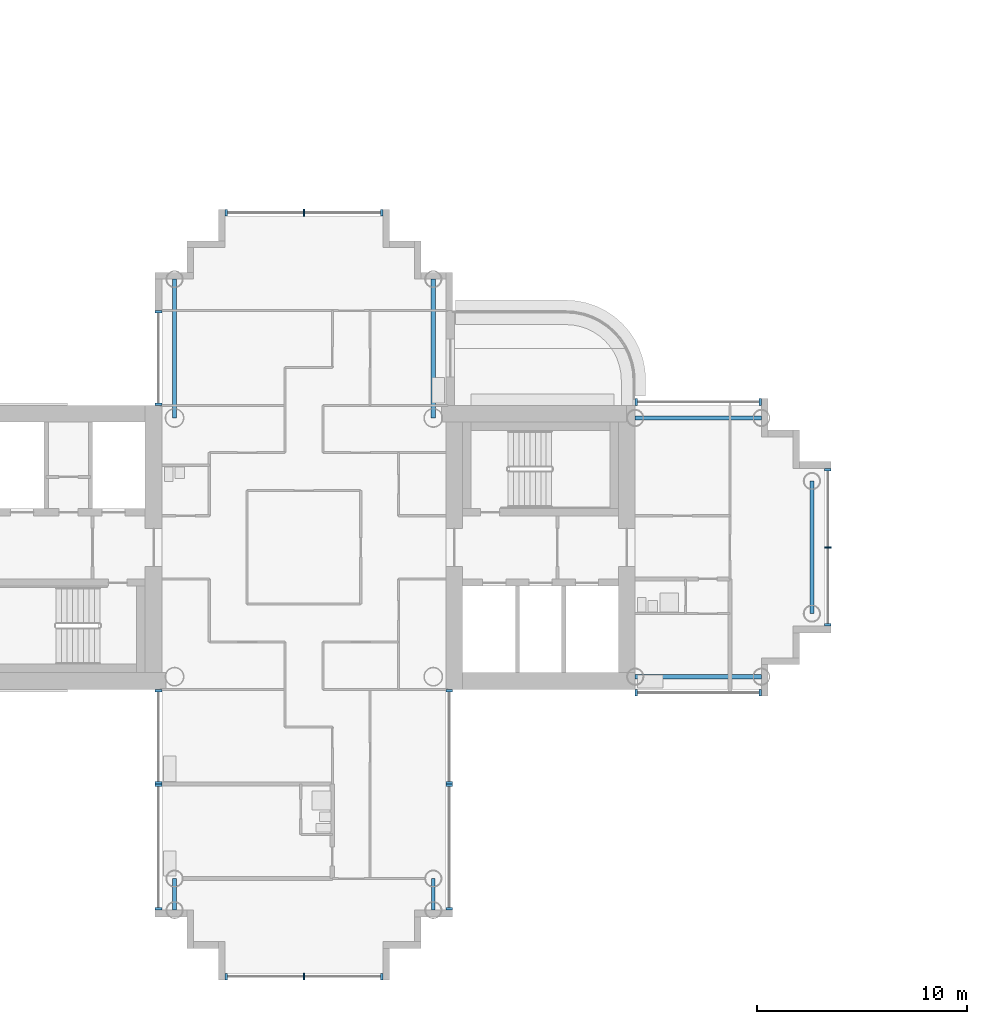
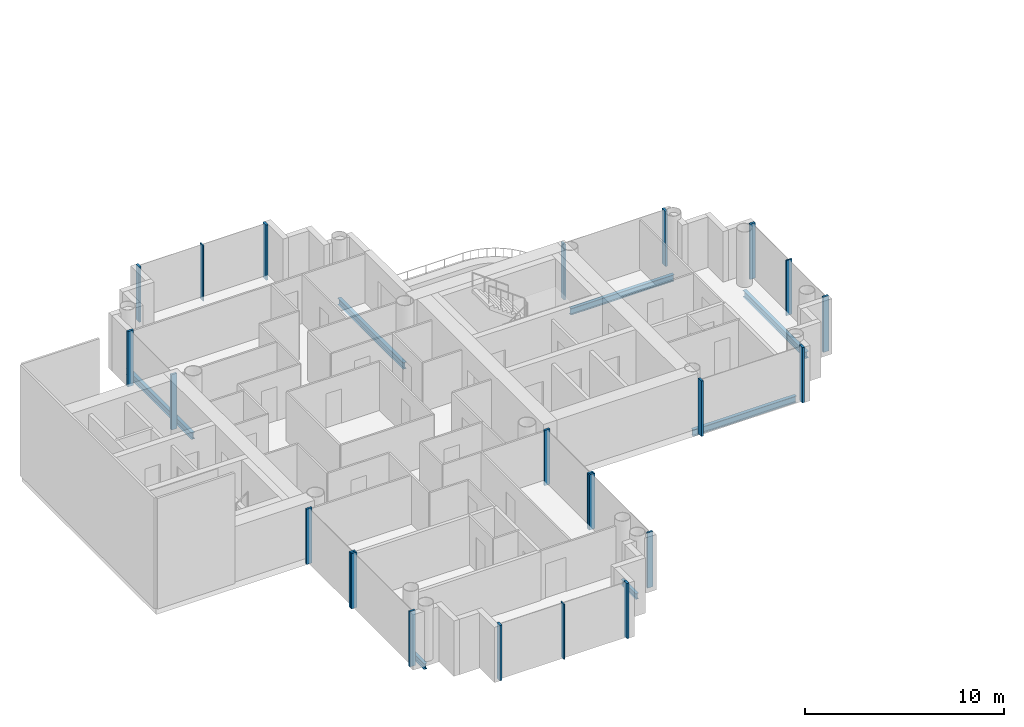
# One storey, part 3 of 19: 23 members, 7 beams, 10 elements without a shape of their own.
"""IFC4 building model written with IfcOpenShell, lengths in metres."""

from ifc_helpers import new_model, si_unit, direction, frame, origin, origin_2d, place, context, subcontext, project, spatial, rectangle, i_section, extrude, material, layer, layer_set, material_profile, profile_set, type_object, element, aggregate, save


model = new_model("IFC4")

# Units and contexts
model_context = context("Model", 3, precision=1e-05, world=origin(), true_north=direction((0.0, 1.0)))
body_context = subcontext(model_context, "Body", "Model", "MODEL_VIEW")
ifc_project = project(units=[si_unit("LENGTHUNIT", "METRE"), si_unit("AREAUNIT", "SQUARE_METRE"), si_unit("VOLUMEUNIT", "CUBIC_METRE"), si_unit("PLANEANGLEUNIT", "RADIAN"), si_unit("MASSUNIT", "GRAM", prefix="KILO")], contexts=[model_context])

# Site, building, storey
site_placement = place(None, origin())
site = spatial("IfcSite", under=ifc_project, at=site_placement, CompositionType="ELEMENT")
building_placement = place(site_placement, origin())
building = spatial("IfcBuilding", under=site, at=building_placement, Name="Ipe Terrace Towers", CompositionType="ELEMENT")
storey_placement = place(building_placement, frame((0.0, 0.0, 174.5)))
storey = spatial("IfcBuildingStorey", under=building, at=storey_placement, Name="L48", CompositionType="ELEMENT", Elevation=174.5)

# Beams
ifc_material_1 = material(Name="Steel S355", Category="steel")
ifc_material_profile_1 = material_profile(ifc_material_1, i_section(OverallWidth=0.175048828125, OverallDepth=0.35009765625, WebThickness=0.007080078125, FlangeThickness=0.010986328125, at=origin_2d()), Name="H-350x175x7x11")
ifc_profile_set_1 = profile_set([ifc_material_profile_1], Name="Steel S355")
beam_type_1 = type_object("IfcBeamType", Name="H04 EDGE BEAM H-350x175x7x11", PredefinedType="BEAM", material=ifc_profile_set_1)
for number, where, z_axis, x_axis, name in (
    (1, (-42.14990234375, -15.75, -0.574951171875), (0.0, -1.0, 0.0), (1.0, 0.0, 0.0), "Edge beam T1-EB-D03-D05"),
    (2, (-29.85009765625, -15.75, -0.574951171875), (0.0, -1.0, 0.0), (1.0, 0.0, 0.0), "Edge beam T1-EB-D04-D06"),
):
    element("IfcBeam", number, at=place(storey_placement, frame(where, z_axis=z_axis, x_axis=x_axis)), inside=storey, type_object=beam_type_1, Name=name, PredefinedType="BEAM", context=body_context, shape_type="SweptSolid", body=[
        extrude(i_section(OverallWidth=0.175048828125, OverallDepth=0.35009765625, WebThickness=0.007080078125, FlangeThickness=0.010986328125, at=origin_2d()), origin(), (0.0, 0.0, 1.0), 1.5),
    ])
ifc_material_2 = material(Name="Steel S355", Category="steel")
ifc_material_profile_2 = material_profile(ifc_material_2, i_section(OverallWidth=0.199951171875, OverallDepth=0.39990234375, WebThickness=0.008056640625, FlangeThickness=0.012939453125, at=origin_2d()), Name="H-400x200x8x13")
ifc_profile_set_2 = profile_set([ifc_material_profile_2], Name="Steel S355")
beam_type_2 = type_object("IfcBeamType", Name="H06 EDGE BEAM H-400x200x8x13", PredefinedType="BEAM", material=ifc_profile_set_2)
for number, where, z_axis, x_axis, name in (
    (3, (-20.25, -6.14990234375, -0.60009765625), (1.0, 0.0, 0.0), (0.0, 1.0, 0.0), "Edge beam T1-EB-A01-A03"),
    (4, (-20.25, 6.14990234375, -0.60009765625), (1.0, 0.0, 0.0), (0.0, 1.0, 0.0), "Edge beam T1-EB-A02-A04"),
):
    element("IfcBeam", number, at=place(storey_placement, frame(where, z_axis=z_axis, x_axis=x_axis)), inside=storey, type_object=beam_type_2, Name=name, PredefinedType="BEAM", context=body_context, shape_type="SweptSolid", body=[
        extrude(i_section(OverallWidth=0.199951171875, OverallDepth=0.39990234375, WebThickness=0.008056640625, FlangeThickness=0.012939453125, at=origin_2d()), origin(), (0.0, 0.0, 1.0), 6.0),
    ])
beam_placement = place(storey_placement, frame((-11.85009765625, -3.14990234375, -0.60009765625), z_axis=(0.0, 1.0, 0.0), x_axis=(-1.0, 0.0, 0.0)))
element("IfcBeam", 5, at=beam_placement, inside=storey, type_object=beam_type_2, Name="Edge beam T1-EB-A05-A06", PredefinedType="BEAM", context=body_context, shape_type="SweptSolid", body=[
    extrude(i_section(OverallWidth=0.199951171875, OverallDepth=0.39990234375, WebThickness=0.008056640625, FlangeThickness=0.012939453125, at=origin_2d()), origin(), (0.0, 0.0, 1.0), 6.2998046875),
])
for number, where, z_axis, x_axis, name in (
    (6, (-29.85009765625, 12.75, -0.60009765625), (0.0, -1.0, 0.0), (1.0, 0.0, 0.0), "Edge beam T1-EB-B01-E03"),
    (7, (-42.14990234375, 12.75, -0.60009765625), (0.0, -1.0, 0.0), (1.0, 0.0, 0.0), "Edge beam T1-EB-B02-E04"),
):
    element("IfcBeam", number, at=place(storey_placement, frame(where, z_axis=z_axis, x_axis=x_axis)), inside=storey, type_object=beam_type_2, Name=name, PredefinedType="BEAM", context=body_context, shape_type="SweptSolid", body=[
        extrude(i_section(OverallWidth=0.199951171875, OverallDepth=0.39990234375, WebThickness=0.008056640625, FlangeThickness=0.012939453125, at=origin_2d()), origin(), (0.0, 0.0, 1.0), 6.60009765625),
    ])

# Curtain wall, members
ifc_material_3 = material(Name="Aluminium alloy 6063-T6", Category="aluminium")
ifc_layer = layer(ifc_material_3, 0.320068359375)
ifc_layer_set = layer_set([ifc_layer], Name="TOWER UNITISED CURTAIN WALL")
curtain_wall_type = type_object("IfcCurtainWallType", Name="TOWER UNITISED CURTAIN WALL", PredefinedType="NOTDEFINED", material=ifc_layer_set)
curtain_wall_1_placement = place(storey_placement, origin())
curtain_wall_1 = element("IfcCurtainWall", 8, at=curtain_wall_1_placement, inside=storey, type_object=curtain_wall_type, Name="T1-CW-L48-02a curtain wall", PredefinedType="NOTDEFINED")
ifc_material_4 = material(Name="Aluminium alloy 6063-T6", Category="aluminium")
ifc_material_profile_3 = material_profile(ifc_material_4, rectangle(XDim=0.320068359375, YDim=0.1201171875, at=origin_2d()), Name="TOWER UNITISED CORNER MULLION 320 x 120")
ifc_profile_set_3 = profile_set([ifc_material_profile_3], Name="Aluminium alloy 6063-T6")
member_type_1 = type_object("IfcMemberType", Name="TOWER UNITISED CORNER MULLION 320 x 120", PredefinedType="MULLION", material=ifc_profile_set_3)
member_1_placement = place(storey_placement, frame((-42.909912109375, -6.81005859375, -0.300048828125), z_axis=(0.0, 0.0, 1.0), x_axis=(-1.0, 0.0, 0.0)))
member_1 = element("IfcMember", 9, at=member_1_placement, type_object=member_type_1, Name="T1-CW-L48-02a mullion 1", PredefinedType="MULLION", context=body_context, shape_type="SweptSolid", body=[
    extrude(rectangle(XDim=0.320068359375, YDim=0.1201171875, at=origin_2d()), origin(), (0.0, 0.0, 1.0), 3.400146484375),
])
member_2_placement = place(storey_placement, frame((-42.909912109375, -11.18994140625, -0.300048828125), z_axis=(0.0, 0.0, 1.0), x_axis=(-1.0, 0.0, 0.0)))
member_2 = element("IfcMember", 10, at=member_2_placement, type_object=member_type_1, Name="T1-CW-L48-02a mullion 2", PredefinedType="MULLION", context=body_context, shape_type="SweptSolid", body=[
    extrude(rectangle(XDim=0.320068359375, YDim=0.1201171875, at=origin_2d()), origin(), (0.0, 0.0, 1.0), 3.400146484375),
])
aggregate(curtain_wall_1, [member_1, member_2])

curtain_wall_2_placement = place(storey_placement, origin())
curtain_wall_2 = element("IfcCurtainWall", 11, at=curtain_wall_2_placement, inside=storey, type_object=curtain_wall_type, Name="T1-CW-L48-03a curtain wall", PredefinedType="NOTDEFINED")
member_3_placement = place(storey_placement, frame((-42.909912109375, -11.31005859375, -0.300048828125), z_axis=(0.0, 0.0, 1.0), x_axis=(-1.0, 0.0, 0.0)))
member_3 = element("IfcMember", 12, at=member_3_placement, type_object=member_type_1, Name="T1-CW-L48-03a mullion 1", PredefinedType="MULLION", context=body_context, shape_type="SweptSolid", body=[
    extrude(rectangle(XDim=0.320068359375, YDim=0.1201171875, at=origin_2d()), origin(), (0.0, 0.0, 1.0), 3.400146484375),
])
member_4_placement = place(storey_placement, frame((-42.909912109375, -17.18994140625, -0.300048828125), z_axis=(0.0, 0.0, 1.0), x_axis=(-1.0, 0.0, 0.0)))
member_4 = element("IfcMember", 13, at=member_4_placement, type_object=member_type_1, Name="T1-CW-L48-03a mullion 2", PredefinedType="MULLION", context=body_context, shape_type="SweptSolid", body=[
    extrude(rectangle(XDim=0.320068359375, YDim=0.1201171875, at=origin_2d()), origin(), (0.0, 0.0, 1.0), 3.400146484375),
])
aggregate(curtain_wall_2, [member_3, member_4])

curtain_wall_3_placement = place(storey_placement, origin())
curtain_wall_3 = element("IfcCurtainWall", 14, at=curtain_wall_3_placement, inside=storey, type_object=curtain_wall_type, Name="T1-CW-L48-08a curtain wall", PredefinedType="NOTDEFINED")
member_5_placement = place(storey_placement, frame((-39.68994140625, -20.409912109375, -0.300048828125), z_axis=(0.0, 0.0, 1.0), x_axis=(0.0, -1.0, 0.0)))
member_5 = element("IfcMember", 15, at=member_5_placement, type_object=member_type_1, Name="T1-CW-L48-08a mullion 1", PredefinedType="MULLION", context=body_context, shape_type="SweptSolid", body=[
    extrude(rectangle(XDim=0.320068359375, YDim=0.1201171875, at=origin_2d()), origin(), (0.0, 0.0, 1.0), 3.400146484375),
])
member_6_placement = place(storey_placement, frame((-32.31005859375, -20.409912109375, -0.300048828125), z_axis=(0.0, 0.0, 1.0), x_axis=(0.0, -1.0, 0.0)))
member_6 = element("IfcMember", 16, at=member_6_placement, type_object=member_type_1, Name="T1-CW-L48-08a mullion 3", PredefinedType="MULLION", context=body_context, shape_type="SweptSolid", body=[
    extrude(rectangle(XDim=0.320068359375, YDim=0.1201171875, at=origin_2d()), origin(), (0.0, 0.0, 1.0), 3.400146484375),
])

curtain_wall_4_placement = place(storey_placement, origin())
curtain_wall_4 = element("IfcCurtainWall", 17, at=curtain_wall_4_placement, inside=storey, type_object=curtain_wall_type, Name="T1-CW-L48-13a curtain wall", PredefinedType="NOTDEFINED")
member_7_placement = place(storey_placement, frame((-29.090087890625, -17.18994140625, -0.300048828125), z_axis=(0.0, 0.0, 1.0), x_axis=(1.0, 0.0, 0.0)))
member_7 = element("IfcMember", 18, at=member_7_placement, type_object=member_type_1, Name="T1-CW-L48-13a mullion 1", PredefinedType="MULLION", context=body_context, shape_type="SweptSolid", body=[
    extrude(rectangle(XDim=0.320068359375, YDim=0.1201171875, at=origin_2d()), origin(), (0.0, 0.0, 1.0), 3.400146484375),
])
member_8_placement = place(storey_placement, frame((-29.090087890625, -11.31005859375, -0.300048828125), z_axis=(0.0, 0.0, 1.0), x_axis=(1.0, 0.0, 0.0)))
member_8 = element("IfcMember", 19, at=member_8_placement, type_object=member_type_1, Name="T1-CW-L48-13a mullion 2", PredefinedType="MULLION", context=body_context, shape_type="SweptSolid", body=[
    extrude(rectangle(XDim=0.320068359375, YDim=0.1201171875, at=origin_2d()), origin(), (0.0, 0.0, 1.0), 3.400146484375),
])
aggregate(curtain_wall_4, [member_7, member_8])

curtain_wall_5_placement = place(storey_placement, origin())
curtain_wall_5 = element("IfcCurtainWall", 20, at=curtain_wall_5_placement, inside=storey, type_object=curtain_wall_type, Name="T1-CW-L48-14a curtain wall", PredefinedType="NOTDEFINED")
member_9_placement = place(storey_placement, frame((-29.090087890625, -11.18994140625, -0.300048828125), z_axis=(0.0, 0.0, 1.0), x_axis=(1.0, 0.0, 0.0)))
member_9 = element("IfcMember", 21, at=member_9_placement, type_object=member_type_1, Name="T1-CW-L48-14a mullion 1", PredefinedType="MULLION", context=body_context, shape_type="SweptSolid", body=[
    extrude(rectangle(XDim=0.320068359375, YDim=0.1201171875, at=origin_2d()), origin(), (0.0, 0.0, 1.0), 3.400146484375),
])
member_10_placement = place(storey_placement, frame((-29.090087890625, -6.81005859375, -0.300048828125), z_axis=(0.0, 0.0, 1.0), x_axis=(1.0, 0.0, 0.0)))
member_10 = element("IfcMember", 22, at=member_10_placement, type_object=member_type_1, Name="T1-CW-L48-14a mullion 2", PredefinedType="MULLION", context=body_context, shape_type="SweptSolid", body=[
    extrude(rectangle(XDim=0.320068359375, YDim=0.1201171875, at=origin_2d()), origin(), (0.0, 0.0, 1.0), 3.400146484375),
])
aggregate(curtain_wall_5, [member_9, member_10])

curtain_wall_6_placement = place(storey_placement, origin())
curtain_wall_6 = element("IfcCurtainWall", 23, at=curtain_wall_6_placement, inside=storey, type_object=curtain_wall_type, Name="T1-CW-L48-16b curtain wall", PredefinedType="NOTDEFINED")
member_11_placement = place(storey_placement, frame((-20.18896484375, -6.909912109375, -0.300048828125), z_axis=(0.0, 0.0, 1.0), x_axis=(0.0, -1.0, 0.0)))
member_11 = element("IfcMember", 24, at=member_11_placement, type_object=member_type_1, Name="T1-CW-L48-16b mullion 1", PredefinedType="MULLION", context=body_context, shape_type="SweptSolid", body=[
    extrude(rectangle(XDim=0.320068359375, YDim=0.1201171875, at=origin_2d()), origin(), (0.0, 0.0, 1.0), 3.400146484375),
])
member_12_placement = place(storey_placement, frame((-14.31005859375, -6.909912109375, -0.300048828125), z_axis=(0.0, 0.0, 1.0), x_axis=(0.0, -1.0, 0.0)))
member_12 = element("IfcMember", 25, at=member_12_placement, type_object=member_type_1, Name="T1-CW-L48-16b mullion 2", PredefinedType="MULLION", context=body_context, shape_type="SweptSolid", body=[
    extrude(rectangle(XDim=0.320068359375, YDim=0.1201171875, at=origin_2d()), origin(), (0.0, 0.0, 1.0), 3.400146484375),
])
aggregate(curtain_wall_6, [member_11, member_12])

curtain_wall_7_placement = place(storey_placement, origin())
curtain_wall_7 = element("IfcCurtainWall", 26, at=curtain_wall_7_placement, inside=storey, type_object=curtain_wall_type, Name="T1-CW-L48-21a curtain wall", PredefinedType="NOTDEFINED")
member_13_placement = place(storey_placement, frame((-11.090087890625, -3.68994140625, -0.300048828125), z_axis=(0.0, 0.0, 1.0), x_axis=(1.0, 0.0, 0.0)))
member_13 = element("IfcMember", 27, at=member_13_placement, type_object=member_type_1, Name="T1-CW-L48-21a mullion 1", PredefinedType="MULLION", context=body_context, shape_type="SweptSolid", body=[
    extrude(rectangle(XDim=0.320068359375, YDim=0.1201171875, at=origin_2d()), origin(), (0.0, 0.0, 1.0), 3.400146484375),
])
member_14_placement = place(storey_placement, frame((-11.090087890625, 3.68994140625, -0.300048828125), z_axis=(0.0, 0.0, 1.0), x_axis=(1.0, 0.0, 0.0)))
member_14 = element("IfcMember", 28, at=member_14_placement, type_object=member_type_1, Name="T1-CW-L48-21a mullion 3", PredefinedType="MULLION", context=body_context, shape_type="SweptSolid", body=[
    extrude(rectangle(XDim=0.320068359375, YDim=0.1201171875, at=origin_2d()), origin(), (0.0, 0.0, 1.0), 3.400146484375),
])

curtain_wall_8_placement = place(storey_placement, origin())
curtain_wall_8 = element("IfcCurtainWall", 29, at=curtain_wall_8_placement, inside=storey, type_object=curtain_wall_type, Name="T1-CW-L48-26a curtain wall", PredefinedType="NOTDEFINED")
member_15_placement = place(storey_placement, frame((-14.31005859375, 6.909912109375, -0.300048828125), z_axis=(0.0, 0.0, 1.0), x_axis=(0.0, 1.0, 0.0)))
member_15 = element("IfcMember", 30, at=member_15_placement, type_object=member_type_1, Name="T1-CW-L48-26a mullion 1", PredefinedType="MULLION", context=body_context, shape_type="SweptSolid", body=[
    extrude(rectangle(XDim=0.320068359375, YDim=0.1201171875, at=origin_2d()), origin(), (0.0, 0.0, 1.0), 3.400146484375),
])
member_16_placement = place(storey_placement, frame((-20.18896484375, 6.909912109375, -0.300048828125), z_axis=(0.0, 0.0, 1.0), x_axis=(0.0, 1.0, 0.0)))
member_16 = element("IfcMember", 31, at=member_16_placement, type_object=member_type_1, Name="T1-CW-L48-26a mullion 2", PredefinedType="MULLION", context=body_context, shape_type="SweptSolid", body=[
    extrude(rectangle(XDim=0.320068359375, YDim=0.1201171875, at=origin_2d()), origin(), (0.0, 0.0, 1.0), 3.400146484375),
])
aggregate(curtain_wall_8, [member_15, member_16])

curtain_wall_9_placement = place(storey_placement, origin())
curtain_wall_9 = element("IfcCurtainWall", 32, at=curtain_wall_9_placement, inside=storey, type_object=curtain_wall_type, Name="T1-CW-L48-34a curtain wall", PredefinedType="NOTDEFINED")
member_17_placement = place(storey_placement, frame((-32.31005859375, 15.909912109375, -0.300048828125), z_axis=(0.0, 0.0, 1.0), x_axis=(0.0, 1.0, 0.0)))
member_17 = element("IfcMember", 33, at=member_17_placement, type_object=member_type_1, Name="T1-CW-L48-34a mullion 1", PredefinedType="MULLION", context=body_context, shape_type="SweptSolid", body=[
    extrude(rectangle(XDim=0.320068359375, YDim=0.1201171875, at=origin_2d()), origin(), (0.0, 0.0, 1.0), 3.400146484375),
])
member_18_placement = place(storey_placement, frame((-39.68994140625, 15.909912109375, -0.300048828125), z_axis=(0.0, 0.0, 1.0), x_axis=(0.0, 1.0, 0.0)))
member_18 = element("IfcMember", 34, at=member_18_placement, type_object=member_type_1, Name="T1-CW-L48-34a mullion 3", PredefinedType="MULLION", context=body_context, shape_type="SweptSolid", body=[
    extrude(rectangle(XDim=0.320068359375, YDim=0.1201171875, at=origin_2d()), origin(), (0.0, 0.0, 1.0), 3.400146484375),
])

curtain_wall_10_placement = place(storey_placement, origin())
curtain_wall_10 = element("IfcCurtainWall", 35, at=curtain_wall_10_placement, inside=storey, type_object=curtain_wall_type, Name="T1-CW-L48-40a curtain wall", PredefinedType="NOTDEFINED")
member_19_placement = place(storey_placement, frame((-42.909912109375, 11.18994140625, -0.300048828125), z_axis=(0.0, 0.0, 1.0), x_axis=(-1.0, 0.0, 0.0)))
member_19 = element("IfcMember", 36, at=member_19_placement, type_object=member_type_1, Name="T1-CW-L48-40a mullion 1", PredefinedType="MULLION", context=body_context, shape_type="SweptSolid", body=[
    extrude(rectangle(XDim=0.320068359375, YDim=0.1201171875, at=origin_2d()), origin(), (0.0, 0.0, 1.0), 3.400146484375),
])
member_20_placement = place(storey_placement, frame((-42.909912109375, 6.81005859375, -0.300048828125), z_axis=(0.0, 0.0, 1.0), x_axis=(-1.0, 0.0, 0.0)))
member_20 = element("IfcMember", 37, at=member_20_placement, type_object=member_type_1, Name="T1-CW-L48-40a mullion 2", PredefinedType="MULLION", context=body_context, shape_type="SweptSolid", body=[
    extrude(rectangle(XDim=0.320068359375, YDim=0.1201171875, at=origin_2d()), origin(), (0.0, 0.0, 1.0), 3.400146484375),
])
aggregate(curtain_wall_10, [member_19, member_20])

# Member
ifc_material_5 = material(Name="Aluminium alloy 6063-T6", Category="aluminium")
ifc_material_profile_4 = material_profile(ifc_material_5, rectangle(XDim=0.320068359375, YDim=0.06494140625, at=origin_2d()), Name="TOWER UNITISED MULLION 320 x 65")
ifc_profile_set_4 = profile_set([ifc_material_profile_4], Name="Aluminium alloy 6063-T6")
member_type_2 = type_object("IfcMemberType", Name="TOWER UNITISED MULLION 320 x 65", PredefinedType="MULLION", material=ifc_profile_set_4)
member_21_placement = place(storey_placement, frame((-36.0, -20.409912109375, -0.300048828125), z_axis=(0.0, 0.0, 1.0), x_axis=(0.0, -1.0, 0.0)))
member_21 = element("IfcMember", 38, at=member_21_placement, type_object=member_type_2, Name="T1-CW-L48-08a mullion 2", PredefinedType="MULLION", context=body_context, shape_type="SweptSolid", body=[
    extrude(rectangle(XDim=0.320068359375, YDim=0.06494140625, at=origin_2d()), origin(), (0.0, 0.0, 1.0), 3.400146484375),
])

aggregate(curtain_wall_3, [member_5, member_21, member_6])

member_22_placement = place(storey_placement, frame((-11.090087890625, 0.0, -0.300048828125), z_axis=(0.0, 0.0, 1.0), x_axis=(1.0, 0.0, 0.0)))
member_22 = element("IfcMember", 39, at=member_22_placement, type_object=member_type_2, Name="T1-CW-L48-21a mullion 2", PredefinedType="MULLION", context=body_context, shape_type="SweptSolid", body=[
    extrude(rectangle(XDim=0.320068359375, YDim=0.06494140625, at=origin_2d()), origin(), (0.0, 0.0, 1.0), 3.400146484375),
])

aggregate(curtain_wall_7, [member_13, member_22, member_14])

member_23_placement = place(storey_placement, frame((-36.0, 15.909912109375, -0.300048828125), z_axis=(0.0, 0.0, 1.0), x_axis=(0.0, 1.0, 0.0)))
member_23 = element("IfcMember", 40, at=member_23_placement, type_object=member_type_2, Name="T1-CW-L48-34a mullion 2", PredefinedType="MULLION", context=body_context, shape_type="SweptSolid", body=[
    extrude(rectangle(XDim=0.320068359375, YDim=0.06494140625, at=origin_2d()), origin(), (0.0, 0.0, 1.0), 3.400146484375),
])

aggregate(curtain_wall_9, [member_17, member_23, member_18])

save(model, "model.ifc")
